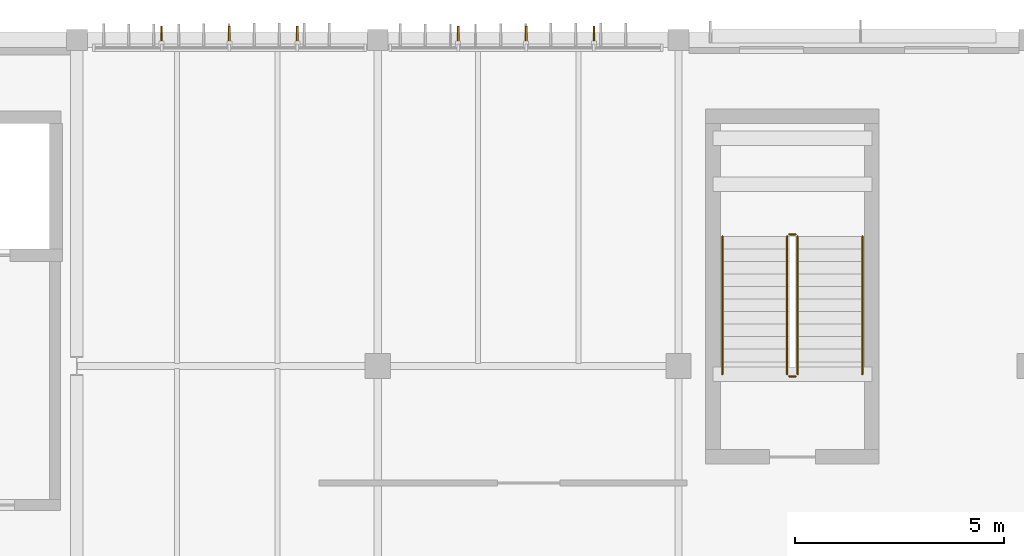
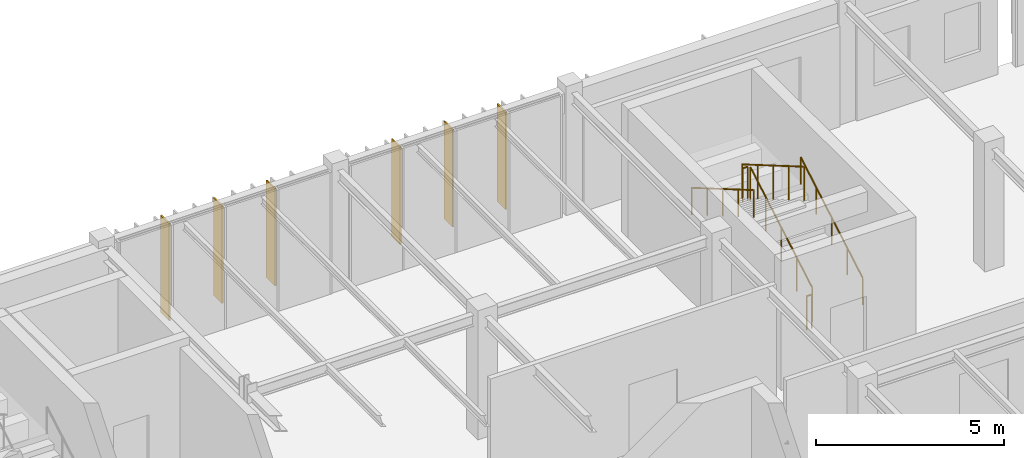
# One storey, part 102 of 104: 6 railings, 6 shading devices.
"""IFC4 building model written with IfcOpenShell, lengths in metres."""

from ifc_helpers import new_model, si_unit, direction, frame, origin, origin_2d, place, context, subcontext, project, spatial, rectangle, circle, extrude, material, layer, layer_set, material_profile, profile_set, type_object, element, save


model = new_model("IFC4")

# Units and contexts
model_context = context("Model", 3, precision=1e-05, world=origin(), true_north=direction((0.0, 1.0)))
body_context = subcontext(model_context, "Body", "Model", "MODEL_VIEW")
ifc_project = project(units=[si_unit("LENGTHUNIT", "METRE"), si_unit("AREAUNIT", "SQUARE_METRE"), si_unit("VOLUMEUNIT", "CUBIC_METRE"), si_unit("PLANEANGLEUNIT", "RADIAN"), si_unit("MASSUNIT", "GRAM", prefix="KILO")], contexts=[model_context])

# Site, building, storey
site_placement = place(None, origin())
site = spatial("IfcSite", under=ifc_project, at=site_placement, CompositionType="ELEMENT")
building_placement = place(site_placement, origin())
building = spatial("IfcBuilding", under=site, at=building_placement, Name="Tazoul Stagehouse", CompositionType="ELEMENT")
storey_placement = place(building_placement, frame((0.0, 0.0, 9.0)))
storey = spatial("IfcBuildingStorey", under=building, at=storey_placement, Name="L02", CompositionType="ELEMENT", Elevation=9.0)

# Shading devices
ifc_material_1 = material(Name="Anodised Bronze Aluminium 6063-T6", Category="aluminium")
ifc_layer_1 = layer(ifc_material_1, 0.050048828125, Name="Anodised Bronze Aluminium 6063-T6")
ifc_layer_set_1 = layer_set([ifc_layer_1], Name="Anodised Bronze Aluminium 6063-T6")
shading_device_type_1 = type_object("IfcShadingDeviceType", Name="Angled Acoustic Sun-Screen Blade 460", PredefinedType="USERDEFINED", material=ifc_layer_set_1)
for number, where, z_axis, x_axis, name in (
    (1, (104.625, 111.89990234375, 0.75), (0.0, 0.0, 1.0), (1.0, 0.0, 0.0), "Shading Louvre FIN-02 CW-V3-N1-L02-B1-SHD01"),
    (2, (107.875, 111.89990234375, 0.75), (0.0, 0.0, 1.0), (1.0, 0.0, 0.0), "Shading Louvre FIN-02 CW-V3-N1-L02-B1-SHD03"),
    (3, (111.72509765625, 111.89990234375, 0.75), (0.0, 0.0, 1.0), (1.0, 0.0, 0.0), "Shading Louvre FIN-02 CW-V3-N1-L02-B2-SHD01"),
    (4, (114.97509765625, 111.89990234375, 0.75), (0.0, 0.0, 1.0), (1.0, 0.0, 0.0), "Shading Louvre FIN-02 CW-V3-N1-L02-B2-SHD03"),
):
    element("IfcShadingDevice", number, at=place(storey_placement, frame(where, z_axis=z_axis, x_axis=x_axis)), inside=storey, type_object=shading_device_type_1, Name=name, ObjectType="FIN", PredefinedType="USERDEFINED", context=body_context, shape_type="SweptSolid", body=[
        extrude(rectangle(XDim=0.044921875, YDim=0.4599609375, at=origin_2d()), origin(), (0.0, 0.0, 1.0), 3.169921875),
    ])

# Railings
ifc_material_2 = material(Name="Brushed Stainless Steel 316L", Category="steel")
ifc_material_profile_1 = material_profile(ifc_material_2, circle(Radius=0.02392578125, at=origin_2d()), Name="SS RAIL D48")
ifc_profile_set_1 = profile_set([ifc_material_profile_1], Name="Brushed Stainless Steel 316L")
railing_type_1 = type_object("IfcRailingType", Name="Architectural Guardrail H1120", PredefinedType="GUARDRAIL", material=ifc_profile_set_1)
railing_1_placement = place(storey_placement, frame((119.85009765625, 103.800048828125, 0.175048828125)))
element("IfcRailing", 5, at=railing_1_placement, inside=storey, type_object=railing_type_1, Name="L02 ST-02 stair guard 1", PredefinedType="GUARDRAIL", context=body_context, shape_type="SweptSolid", body=[
    extrude(circle(Radius=0.02392578125, at=origin_2d()), frame((0.0, 0.0, 1.09619140625), z_axis=(0.0, 0.863776583165, 0.503874998761), x_axis=(-1.0, 0.0, 0.0)), (0.0, 0.0, 1.0), 3.820556640625),
    extrude(circle(Radius=0.02099609375, at=origin_2d()), origin(), (0.0, 0.0, 1.0), 1.072021484375),
    extrude(circle(Radius=0.02099609375, at=origin_2d()), frame((0.0, 0.824951171875, 0.481201171875)), (0.0, 0.0, 1.0), 1.072021484375),
    extrude(circle(Radius=0.02099609375, at=origin_2d()), frame((0.0, 1.64990234375, 0.96240234375)), (0.0, 0.0, 1.0), 1.072021484375),
    extrude(circle(Radius=0.02099609375, at=origin_2d()), frame((0.0, 2.47509765625, 1.44384765625)), (0.0, 0.0, 1.0), 1.072021484375),
    extrude(circle(Radius=0.02099609375, at=origin_2d()), frame((0.0, 3.300048828125, 1.925048828125)), (0.0, 0.0, 1.0), 1.072021484375),
])
railing_2_placement = place(storey_placement, frame((119.800048828125, 107.14990234375, 2.10009765625)))
element("IfcRailing", 6, at=railing_2_placement, inside=storey, type_object=railing_type_1, Name="L02 ST-02 stair guard 2", PredefinedType="GUARDRAIL", context=body_context, shape_type="SweptSolid", body=[
    extrude(circle(Radius=0.02392578125, at=origin_2d()), frame((0.0, 0.0, 1.09619140625), z_axis=(-1.0, 0.0, 0.0), x_axis=(0.0, -1.0, 0.0)), (0.0, 0.0, 1.0), 0.150146484375),
    extrude(circle(Radius=0.02099609375, at=origin_2d()), origin(), (0.0, 0.0, 1.0), 1.072021484375),
    extrude(circle(Radius=0.02099609375, at=origin_2d()), frame((-0.150146484375, 0.0, 0.0)), (0.0, 0.0, 1.0), 1.072021484375),
])
railing_3_placement = place(storey_placement, frame((119.60009765625, 107.10009765625, 2.27490234375)))
element("IfcRailing", 7, at=railing_3_placement, inside=storey, type_object=railing_type_1, Name="L02 ST-02 stair guard 3", PredefinedType="GUARDRAIL", context=body_context, shape_type="SweptSolid", body=[
    extrude(circle(Radius=0.02392578125, at=origin_2d()), frame((0.0, 0.0, 1.09619140625), z_axis=(0.0, -0.863776583165, 0.503874998761), x_axis=(1.0, 0.0, 0.0)), (0.0, 0.0, 1.0), 3.820556640625),
    extrude(circle(Radius=0.02099609375, at=origin_2d()), origin(), (0.0, 0.0, 1.0), 1.072021484375),
    extrude(circle(Radius=0.02099609375, at=origin_2d()), frame((0.0, -0.824951171875, 0.481201171875)), (0.0, 0.0, 1.0), 1.072021484375),
    extrude(circle(Radius=0.02099609375, at=origin_2d()), frame((0.0, -1.64990234375, 0.96240234375)), (0.0, 0.0, 1.0), 1.072021484375),
    extrude(circle(Radius=0.02099609375, at=origin_2d()), frame((0.0, -2.47509765625, 1.44384765625)), (0.0, 0.0, 1.0), 1.072021484375),
    extrude(circle(Radius=0.02099609375, at=origin_2d()), frame((0.0, -3.300048828125, 1.925048828125)), (0.0, 0.0, 1.0), 1.072021484375),
])
railing_4_placement = place(storey_placement, frame((119.800048828125, 103.75, 0.0)))
element("IfcRailing", 8, at=railing_4_placement, inside=storey, type_object=railing_type_1, Name="L02 ST-02 stair guard 4", PredefinedType="GUARDRAIL", context=body_context, shape_type="SweptSolid", body=[
    extrude(circle(Radius=0.02392578125, at=origin_2d()), frame((0.0, 0.0, 1.09619140625), z_axis=(-1.0, 0.0, 0.0), x_axis=(0.0, -1.0, 0.0)), (0.0, 0.0, 1.0), 0.150146484375),
    extrude(circle(Radius=0.02099609375, at=origin_2d()), origin(), (0.0, 0.0, 1.0), 1.072021484375),
    extrude(circle(Radius=0.02099609375, at=origin_2d()), frame((-0.150146484375, 0.0, 0.0)), (0.0, 0.0, 1.0), 1.072021484375),
])
ifc_material_profile_2 = material_profile(ifc_material_2, circle(Radius=0.02099609375, at=origin_2d()), Name="SS HANDRAIL D42")
ifc_profile_set_2 = profile_set([ifc_material_profile_2], Name="Brushed Stainless Steel 316L")
railing_type_2 = type_object("IfcRailingType", Name="Continuous Stair Handrail H900", PredefinedType="HANDRAIL", material=ifc_profile_set_2)
railing_5_placement = place(storey_placement, frame((121.39990234375, 103.800048828125, 0.175048828125)))
element("IfcRailing", 9, at=railing_5_placement, inside=storey, type_object=railing_type_2, Name="L02 ST-02 stair handrail 1", PredefinedType="HANDRAIL", context=body_context, shape_type="SweptSolid", body=[
    extrude(circle(Radius=0.02392578125, at=origin_2d()), frame((0.0, 0.0, 0.8759765625), z_axis=(0.0, 0.863776583165, 0.503874998761), x_axis=(-1.0, 0.0, 0.0)), (0.0, 0.0, 1.0), 3.820556640625),
    extrude(circle(Radius=0.02099609375, at=origin_2d()), origin(), (0.0, 0.0, 1.0), 0.851806640625),
    extrude(circle(Radius=0.02099609375, at=origin_2d()), frame((0.0, 0.824951171875, 0.481201171875)), (0.0, 0.0, 1.0), 0.851806640625),
    extrude(circle(Radius=0.02099609375, at=origin_2d()), frame((0.0, 1.64990234375, 0.96240234375)), (0.0, 0.0, 1.0), 0.851806640625),
    extrude(circle(Radius=0.02099609375, at=origin_2d()), frame((0.0, 2.47509765625, 1.44384765625)), (0.0, 0.0, 1.0), 0.851806640625),
    extrude(circle(Radius=0.02099609375, at=origin_2d()), frame((0.0, 3.300048828125, 1.925048828125)), (0.0, 0.0, 1.0), 0.851806640625),
])
railing_6_placement = place(storey_placement, frame((118.050048828125, 107.10009765625, 2.27490234375)))
element("IfcRailing", 10, at=railing_6_placement, inside=storey, type_object=railing_type_2, Name="L02 ST-02 stair handrail 2", PredefinedType="HANDRAIL", context=body_context, shape_type="SweptSolid", body=[
    extrude(circle(Radius=0.02392578125, at=origin_2d()), frame((0.0, 0.0, 0.8759765625), z_axis=(0.0, -0.863776583165, 0.503874998761), x_axis=(1.0, 0.0, 0.0)), (0.0, 0.0, 1.0), 3.820556640625),
    extrude(circle(Radius=0.02099609375, at=origin_2d()), origin(), (0.0, 0.0, 1.0), 0.851806640625),
    extrude(circle(Radius=0.02099609375, at=origin_2d()), frame((0.0, -0.824951171875, 0.481201171875)), (0.0, 0.0, 1.0), 0.851806640625),
    extrude(circle(Radius=0.02099609375, at=origin_2d()), frame((0.0, -1.64990234375, 0.96240234375)), (0.0, 0.0, 1.0), 0.851806640625),
    extrude(circle(Radius=0.02099609375, at=origin_2d()), frame((0.0, -2.47509765625, 1.44384765625)), (0.0, 0.0, 1.0), 0.851806640625),
    extrude(circle(Radius=0.02099609375, at=origin_2d()), frame((0.0, -3.300048828125, 1.925048828125)), (0.0, 0.0, 1.0), 0.851806640625),
])

# Shading devices
ifc_layer_2 = layer(ifc_material_1, 0.044921875, Name="Anodised Bronze Aluminium 6063-T6")
ifc_layer_set_2 = layer_set([ifc_layer_2], Name="Anodised Bronze Aluminium 6063-T6")
shading_device_type_2 = type_object("IfcShadingDeviceType", Name="Vertical Extruded Terracotta-Bronze Louvre 460", PredefinedType="JALOUSIE", material=ifc_layer_set_2)
for number, where, z_axis, x_axis, name in (
    (11, (106.25, 111.89990234375, 0.75), (0.0, 0.0, 1.0), (1.0, 0.0, 0.0), "Shading Louvre FIN-01 CW-V3-N1-L02-B1-SHD02"),
    (12, (113.35009765625, 111.89990234375, 0.75), (0.0, 0.0, 1.0), (1.0, 0.0, 0.0), "Shading Louvre FIN-01 CW-V3-N1-L02-B2-SHD02"),
):
    element("IfcShadingDevice", number, at=place(storey_placement, frame(where, z_axis=z_axis, x_axis=x_axis)), inside=storey, type_object=shading_device_type_2, Name=name, PredefinedType="JALOUSIE", context=body_context, shape_type="SweptSolid", body=[
        extrude(rectangle(XDim=0.044921875, YDim=0.4599609375, at=origin_2d()), origin(), (0.0, 0.0, 1.0), 3.169921875),
    ])

save(model, "model.ifc")
